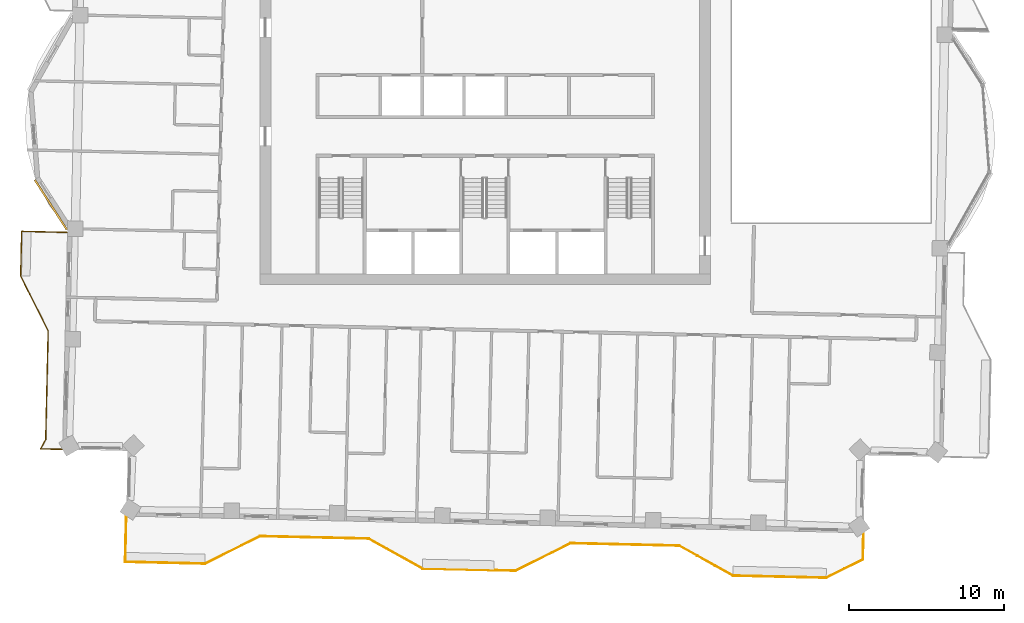
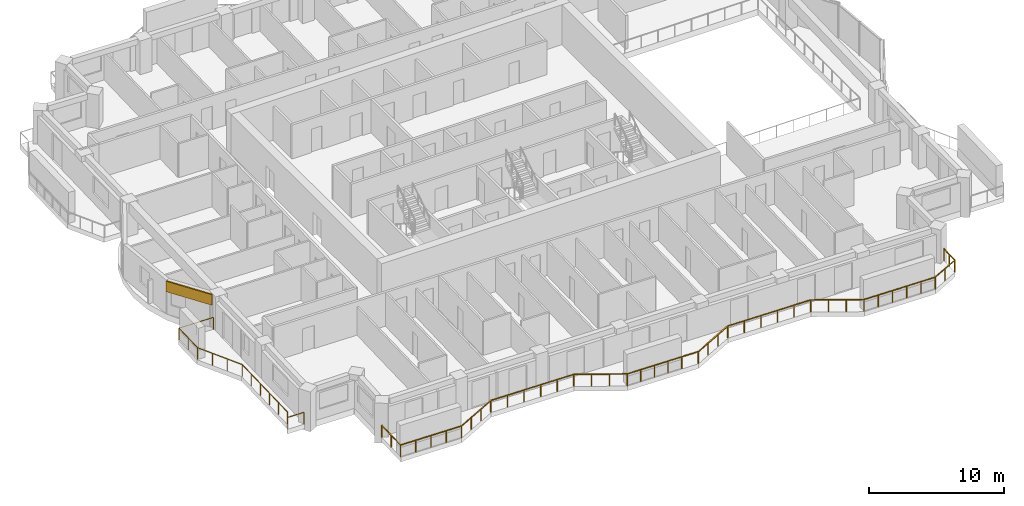
# One storey, part 14 of 17: 2 railings, 1 covering.
"""IFC4 building model written with IfcOpenShell, lengths in metres."""

from ifc_helpers import new_model, si_unit, direction, frame, frame_2d, origin, origin_2d, place, context, subcontext, project, spatial, rectangle, extrude, material, layer, layer_set, type_object, element, save


model = new_model("IFC4")

# Units and contexts
model_context = context("Model", 3, precision=1e-05, world=origin(), true_north=direction((0.0, 1.0)))
body_context = subcontext(model_context, "Body", "Model", "MODEL_VIEW")
ifc_project = project(units=[si_unit("LENGTHUNIT", "METRE"), si_unit("AREAUNIT", "SQUARE_METRE"), si_unit("VOLUMEUNIT", "CUBIC_METRE"), si_unit("PLANEANGLEUNIT", "RADIAN"), si_unit("MASSUNIT", "GRAM", prefix="KILO")], contexts=[model_context])

# Site, building, storey
site_placement = place(None, origin())
site = spatial("IfcSite", under=ifc_project, at=site_placement, CompositionType="ELEMENT")
building_placement = place(site_placement, origin())
building = spatial("IfcBuilding", under=site, at=building_placement, Name="Mangrove Gate Tower", CompositionType="ELEMENT")
storey_placement = place(building_placement, frame((0.0, 0.0, 268.10009765625)))
storey = spatial("IfcBuildingStorey", under=building, at=storey_placement, Name="L68", CompositionType="ELEMENT", Elevation=268.10009765625)

# Railings
ifc_material_1 = material(Name="Stainless steel grade 316 with laminated glass infill", Category="steel")
railing_type = type_object("IfcRailingType", Name="Balcony guard 1100", PredefinedType="GUARDRAIL", material=ifc_material_1)
railing_1_placement = place(storey_placement, frame((-26.929931640625, -8.1298828125, 0.0)))
element("IfcRailing", 1, at=railing_1_placement, inside=storey, type_object=railing_type, Name="GUARD L68 W2", PredefinedType="GUARDRAIL", context=body_context, shape_type="SweptSolid", body=[
    extrude(rectangle(XDim=0.048095703125, YDim=0.048095703125, at=origin_2d()), frame((0.0, 0.0, 1.076171875), z_axis=(-0.99974356462, 0.022645198192, 0.0), x_axis=(-0.022645198192, -0.99974356462, 0.0)), (0.0, 0.0, 1.0), 2.910888671875),
    extrude(rectangle(XDim=0.048095703125, YDim=0.048095703125, at=origin_2d()), frame((-2.91015625, 0.06591796875, 1.076171875), z_axis=(-0.022590224177, -0.999744808324, 0.0), x_axis=(0.999744808324, -0.022590224177, 0.0)), (0.0, 0.0, 1.0), 2.874755859375),
    extrude(rectangle(XDim=0.048095703125, YDim=0.048095703125, at=origin_2d()), frame((-2.97509765625, -2.80810546875, 1.076171875), z_axis=(0.447114919141, -0.894476522376, 0.0), x_axis=(0.894476522376, 0.447114919141, 0.0)), (0.0, 0.0, 1.0), 3.958740234375),
    extrude(rectangle(XDim=0.048095703125, YDim=0.048095703125, at=origin_2d()), frame((-1.205078125, -6.34912109375, 1.076171875), z_axis=(-0.022705559911, -0.999742195543, 0.0), x_axis=(0.999742195543, -0.022705559911, 0.0)), (0.0, 0.0, 1.0), 6.999755859375),
    extrude(rectangle(XDim=0.048095703125, YDim=0.048095703125, at=origin_2d()), frame((-1.364013671875, -13.34716796875, 1.076171875), z_axis=(-0.48634525195, -0.873766728541, 0.0), x_axis=(0.873766728541, -0.48634525195, 0.0)), (0.0, 0.0, 1.0), 0.6787109375),
    extrude(rectangle(XDim=0.048095703125, YDim=0.048095703125, at=origin_2d()), frame((-1.694091796875, -13.940185546875, 1.076171875), z_axis=(0.999746572278, -0.022512023879, 0.0), x_axis=(0.022512023879, 0.999746572278, 0.0)), (0.0, 0.0, 1.0), 1.377197265625),
    extrude(rectangle(XDim=0.0419921875, YDim=0.0419921875, at=origin_2d()), origin(), (0.0, 0.0, 1.0), 1.052001953125),
    extrude(rectangle(XDim=0.0419921875, YDim=0.0419921875, at=origin_2d()), frame((-1.455078125, 0.032958984375, 0.0)), (0.0, 0.0, 1.0), 1.052001953125),
    extrude(rectangle(XDim=0.0419921875, YDim=0.0419921875, at=origin_2d()), frame((-2.91015625, 0.06591796875, 0.0)), (0.0, 0.0, 1.0), 1.052001953125),
    extrude(rectangle(XDim=0.0419921875, YDim=0.0419921875, at=origin_2d()), frame((-2.942626953125, -1.37109375, 0.0)), (0.0, 0.0, 1.0), 1.052001953125),
    extrude(rectangle(XDim=0.0419921875, YDim=0.0419921875, at=origin_2d()), frame((-2.97509765625, -2.80810546875, 0.0)), (0.0, 0.0, 1.0), 1.052001953125),
    extrude(rectangle(XDim=0.0419921875, YDim=0.0419921875, at=origin_2d()), frame((-2.385009765625, -3.988525390625, 0.0)), (0.0, 0.0, 1.0), 1.052001953125),
    extrude(rectangle(XDim=0.0419921875, YDim=0.0419921875, at=origin_2d()), frame((-1.795166015625, -5.168701171875, 0.0)), (0.0, 0.0, 1.0), 1.052001953125),
    extrude(rectangle(XDim=0.0419921875, YDim=0.0419921875, at=origin_2d()), frame((-1.205078125, -6.34912109375, 0.0)), (0.0, 0.0, 1.0), 1.052001953125),
    extrude(rectangle(XDim=0.0419921875, YDim=0.0419921875, at=origin_2d()), frame((-1.23681640625, -7.748779296875, 0.0)), (0.0, 0.0, 1.0), 1.052001953125),
    extrude(rectangle(XDim=0.0419921875, YDim=0.0419921875, at=origin_2d()), frame((-1.2685546875, -9.1484375, 0.0)), (0.0, 0.0, 1.0), 1.052001953125),
    extrude(rectangle(XDim=0.0419921875, YDim=0.0419921875, at=origin_2d()), frame((-1.300537109375, -10.5478515625, 0.0)), (0.0, 0.0, 1.0), 1.052001953125),
    extrude(rectangle(XDim=0.0419921875, YDim=0.0419921875, at=origin_2d()), frame((-1.332275390625, -11.947509765625, 0.0)), (0.0, 0.0, 1.0), 1.052001953125),
    extrude(rectangle(XDim=0.0419921875, YDim=0.0419921875, at=origin_2d()), frame((-1.364013671875, -13.34716796875, 0.0)), (0.0, 0.0, 1.0), 1.052001953125),
    extrude(rectangle(XDim=0.0419921875, YDim=0.0419921875, at=origin_2d()), frame((-1.694091796875, -13.940185546875, 0.0)), (0.0, 0.0, 1.0), 1.052001953125),
    extrude(rectangle(XDim=0.0419921875, YDim=0.0419921875, at=origin_2d()), frame((-0.317138671875, -13.97119140625, 0.0)), (0.0, 0.0, 1.0), 1.052001953125),
])
railing_2_placement = place(storey_placement, frame((-23.10498046875, -26.43603515625, 0.0)))
element("IfcRailing", 2, at=railing_2_placement, inside=storey, type_object=railing_type, Name="GUARD L68 S1", PredefinedType="GUARDRAIL", context=body_context, shape_type="SweptSolid", body=[
    extrude(rectangle(XDim=0.048095703125, YDim=0.048095703125, at=origin_2d()), frame((0.0, 0.0, 1.076171875), z_axis=(-0.022654696127, -0.999743349437, 0.0), x_axis=(0.999743349437, -0.022654696127, 0.0)), (0.0, 0.0, 1.0), 2.90966796875),
    extrude(rectangle(XDim=0.048095703125, YDim=0.048095703125, at=origin_2d()), frame((-0.06591796875, -2.908935546875, 1.076171875), z_axis=(0.999740779291, -0.022767833085, 0.0), x_axis=(0.022767833085, 0.999740779291, 0.0)), (0.0, 0.0, 1.0), 5.13623046875),
    extrude(rectangle(XDim=0.048095703125, YDim=0.048095703125, at=origin_2d()), frame((5.069091796875, -3.02587890625, 1.076171875), z_axis=(0.894464192593, 0.447139584658, 0.0), x_axis=(-0.447139584658, 0.894464192593, 0.0)), (0.0, 0.0, 1.0), 3.95849609375),
    extrude(rectangle(XDim=0.048095703125, YDim=0.048095703125, at=origin_2d()), frame((8.60986328125, -1.255859375, 1.076171875), z_axis=(0.999744565238, -0.022600979566, 0.0), x_axis=(0.022600979566, 0.999744565238, 0.0)), (0.0, 0.0, 1.0), 6.999755859375),
    extrude(rectangle(XDim=0.048095703125, YDim=0.048095703125, at=origin_2d()), frame((15.60791015625, -1.4140625, 1.076171875), z_axis=(0.87325689943, -0.48726008209, 0.0), x_axis=(0.48726008209, 0.87325689943, 0.0)), (0.0, 0.0, 1.0), 3.958740234375),
    extrude(rectangle(XDim=0.048095703125, YDim=0.048095703125, at=origin_2d()), frame((19.06494140625, -3.343017578125, 1.076171875), z_axis=(0.999739584003, -0.022820258049, 0.0), x_axis=(0.022820258049, 0.999739584003, 0.0)), (0.0, 0.0, 1.0), 4.600341796875),
    extrude(rectangle(XDim=0.048095703125, YDim=0.048095703125, at=origin_2d()), frame((23.6640625, -3.447998046875, 1.076171875), z_axis=(0.999754810245, -0.022143156767, 0.0), x_axis=(0.022143156767, 0.999754810245, 0.0)), (0.0, 0.0, 1.0), 1.400146484375),
    extrude(rectangle(XDim=0.048095703125, YDim=0.048095703125, at=origin_2d()), frame((25.06396484375, -3.47900390625, 1.076171875), z_axis=(0.894476522376, 0.447114919141, 0.0), x_axis=(-0.447114919141, 0.894476522376, 0.0)), (0.0, 0.0, 1.0), 3.958740234375),
    extrude(rectangle(XDim=0.048095703125, YDim=0.048095703125, at=origin_2d()), frame((28.60498046875, -1.708984375, 1.076171875), z_axis=(0.999742195543, -0.022705559911, 0.0), x_axis=(0.022705559911, 0.999742195543, 0.0)), (0.0, 0.0, 1.0), 6.999755859375),
    extrude(rectangle(XDim=0.048095703125, YDim=0.048095703125, at=origin_2d()), frame((35.60302734375, -1.867919921875, 1.076171875), z_axis=(0.87325689943, -0.48726008209, 0.0), x_axis=(0.48726008209, 0.87325689943, 0.0)), (0.0, 0.0, 1.0), 3.958740234375),
    extrude(rectangle(XDim=0.048095703125, YDim=0.048095703125, at=origin_2d()), frame((39.06005859375, -3.796875, 1.076171875), z_axis=(0.999743178102, -0.022662255828, 0.0), x_axis=(0.022662255828, 0.999743178102, 0.0)), (0.0, 0.0, 1.0), 6.00048828125),
    extrude(rectangle(XDim=0.048095703125, YDim=0.048095703125, at=origin_2d()), frame((45.05908203125, -3.932861328125, 1.076171875), z_axis=(0.894501119764, 0.447065707408, 0.0), x_axis=(-0.447065707408, 0.894501119764, 0.0)), (0.0, 0.0, 1.0), 2.641357421875),
    extrude(rectangle(XDim=0.048095703125, YDim=0.048095703125, at=origin_2d()), frame((47.421875, -2.751953125, 1.076171875), z_axis=(0.022731335247, 0.999741609816, 0.0), x_axis=(-0.999741609816, 0.022731335247, 0.0)), (0.0, 0.0, 1.0), 1.675537109375),
    extrude(rectangle(XDim=0.0419921875, YDim=0.0419921875, at=origin_2d()), origin(), (0.0, 0.0, 1.0), 1.052001953125),
    extrude(rectangle(XDim=0.0419921875, YDim=0.0419921875, at=origin_2d()), frame((-0.032958984375, -1.45458984375, 0.0)), (0.0, 0.0, 1.0), 1.052001953125),
    extrude(rectangle(XDim=0.0419921875, YDim=0.0419921875, at=origin_2d()), frame((-0.06591796875, -2.908935546875, 0.0)), (0.0, 0.0, 1.0), 1.052001953125),
    extrude(rectangle(XDim=0.0419921875, YDim=0.0419921875, at=origin_2d()), frame((1.2177734375, -2.938232421875, 0.0)), (0.0, 0.0, 1.0), 1.052001953125),
    extrude(rectangle(XDim=0.0419921875, YDim=0.0419921875, at=origin_2d()), frame((2.50146484375, -2.96728515625, 0.0)), (0.0, 0.0, 1.0), 1.052001953125),
    extrude(rectangle(XDim=0.0419921875, YDim=0.0419921875, at=origin_2d()), frame((3.785400390625, -2.99658203125, 0.0)), (0.0, 0.0, 1.0), 1.052001953125),
    extrude(rectangle(XDim=0.0419921875, YDim=0.0419921875, at=origin_2d()), frame((5.069091796875, -3.02587890625, 0.0)), (0.0, 0.0, 1.0), 1.052001953125),
    extrude(rectangle(XDim=0.0419921875, YDim=0.0419921875, at=origin_2d()), frame((6.249267578125, -2.435791015625, 0.0)), (0.0, 0.0, 1.0), 1.052001953125),
    extrude(rectangle(XDim=0.0419921875, YDim=0.0419921875, at=origin_2d()), frame((7.4296875, -1.845947265625, 0.0)), (0.0, 0.0, 1.0), 1.052001953125),
    extrude(rectangle(XDim=0.0419921875, YDim=0.0419921875, at=origin_2d()), frame((8.60986328125, -1.255859375, 0.0)), (0.0, 0.0, 1.0), 1.052001953125),
    extrude(rectangle(XDim=0.0419921875, YDim=0.0419921875, at=origin_2d()), frame((10.009521484375, -1.28759765625, 0.0)), (0.0, 0.0, 1.0), 1.052001953125),
    extrude(rectangle(XDim=0.0419921875, YDim=0.0419921875, at=origin_2d()), frame((11.4091796875, -1.319091796875, 0.0)), (0.0, 0.0, 1.0), 1.052001953125),
    extrude(rectangle(XDim=0.0419921875, YDim=0.0419921875, at=origin_2d()), frame((12.80859375, -1.350830078125, 0.0)), (0.0, 0.0, 1.0), 1.052001953125),
    extrude(rectangle(XDim=0.0419921875, YDim=0.0419921875, at=origin_2d()), frame((14.208251953125, -1.38232421875, 0.0)), (0.0, 0.0, 1.0), 1.052001953125),
    extrude(rectangle(XDim=0.0419921875, YDim=0.0419921875, at=origin_2d()), frame((15.60791015625, -1.4140625, 0.0)), (0.0, 0.0, 1.0), 1.052001953125),
    extrude(rectangle(XDim=0.0419921875, YDim=0.0419921875, at=origin_2d()), frame((16.76025390625, -2.05712890625, 0.0)), (0.0, 0.0, 1.0), 1.052001953125),
    extrude(rectangle(XDim=0.0419921875, YDim=0.0419921875, at=origin_2d()), frame((17.91259765625, -2.699951171875, 0.0)), (0.0, 0.0, 1.0), 1.052001953125),
    extrude(rectangle(XDim=0.0419921875, YDim=0.0419921875, at=origin_2d()), frame((19.06494140625, -3.343017578125, 0.0)), (0.0, 0.0, 1.0), 1.052001953125),
    extrude(rectangle(XDim=0.0419921875, YDim=0.0419921875, at=origin_2d()), frame((20.21484375, -3.369140625, 0.0)), (0.0, 0.0, 1.0), 1.052001953125),
    extrude(rectangle(XDim=0.0419921875, YDim=0.0419921875, at=origin_2d()), frame((21.364501953125, -3.3955078125, 0.0)), (0.0, 0.0, 1.0), 1.052001953125),
    extrude(rectangle(XDim=0.0419921875, YDim=0.0419921875, at=origin_2d()), frame((22.51416015625, -3.421875, 0.0)), (0.0, 0.0, 1.0), 1.052001953125),
    extrude(rectangle(XDim=0.0419921875, YDim=0.0419921875, at=origin_2d()), frame((23.6640625, -3.447998046875, 0.0)), (0.0, 0.0, 1.0), 1.052001953125),
    extrude(rectangle(XDim=0.0419921875, YDim=0.0419921875, at=origin_2d()), frame((25.06396484375, -3.47900390625, 0.0)), (0.0, 0.0, 1.0), 1.052001953125),
    extrude(rectangle(XDim=0.0419921875, YDim=0.0419921875, at=origin_2d()), frame((26.244384765625, -2.888916015625, 0.0)), (0.0, 0.0, 1.0), 1.052001953125),
    extrude(rectangle(XDim=0.0419921875, YDim=0.0419921875, at=origin_2d()), frame((27.424560546875, -2.299072265625, 0.0)), (0.0, 0.0, 1.0), 1.052001953125),
    extrude(rectangle(XDim=0.0419921875, YDim=0.0419921875, at=origin_2d()), frame((28.60498046875, -1.708984375, 0.0)), (0.0, 0.0, 1.0), 1.052001953125),
    extrude(rectangle(XDim=0.0419921875, YDim=0.0419921875, at=origin_2d()), frame((30.004638671875, -1.74072265625, 0.0)), (0.0, 0.0, 1.0), 1.052001953125),
    extrude(rectangle(XDim=0.0419921875, YDim=0.0419921875, at=origin_2d()), frame((31.404296875, -1.7724609375, 0.0)), (0.0, 0.0, 1.0), 1.052001953125),
    extrude(rectangle(XDim=0.0419921875, YDim=0.0419921875, at=origin_2d()), frame((32.8037109375, -1.804443359375, 0.0)), (0.0, 0.0, 1.0), 1.052001953125),
    extrude(rectangle(XDim=0.0419921875, YDim=0.0419921875, at=origin_2d()), frame((34.203369140625, -1.836181640625, 0.0)), (0.0, 0.0, 1.0), 1.052001953125),
    extrude(rectangle(XDim=0.0419921875, YDim=0.0419921875, at=origin_2d()), frame((35.60302734375, -1.867919921875, 0.0)), (0.0, 0.0, 1.0), 1.052001953125),
    extrude(rectangle(XDim=0.0419921875, YDim=0.0419921875, at=origin_2d()), frame((36.75537109375, -2.510986328125, 0.0)), (0.0, 0.0, 1.0), 1.052001953125),
    extrude(rectangle(XDim=0.0419921875, YDim=0.0419921875, at=origin_2d()), frame((37.90771484375, -3.15380859375, 0.0)), (0.0, 0.0, 1.0), 1.052001953125),
    extrude(rectangle(XDim=0.0419921875, YDim=0.0419921875, at=origin_2d()), frame((39.06005859375, -3.796875, 0.0)), (0.0, 0.0, 1.0), 1.052001953125),
    extrude(rectangle(XDim=0.0419921875, YDim=0.0419921875, at=origin_2d()), frame((40.259765625, -3.823974609375, 0.0)), (0.0, 0.0, 1.0), 1.052001953125),
    extrude(rectangle(XDim=0.0419921875, YDim=0.0419921875, at=origin_2d()), frame((41.459716796875, -3.851318359375, 0.0)), (0.0, 0.0, 1.0), 1.052001953125),
    extrude(rectangle(XDim=0.0419921875, YDim=0.0419921875, at=origin_2d()), frame((42.659423828125, -3.87841796875, 0.0)), (0.0, 0.0, 1.0), 1.052001953125),
    extrude(rectangle(XDim=0.0419921875, YDim=0.0419921875, at=origin_2d()), frame((43.859375, -3.90576171875, 0.0)), (0.0, 0.0, 1.0), 1.052001953125),
    extrude(rectangle(XDim=0.0419921875, YDim=0.0419921875, at=origin_2d()), frame((45.05908203125, -3.932861328125, 0.0)), (0.0, 0.0, 1.0), 1.052001953125),
    extrude(rectangle(XDim=0.0419921875, YDim=0.0419921875, at=origin_2d()), frame((46.240478515625, -3.34228515625, 0.0)), (0.0, 0.0, 1.0), 1.052001953125),
    extrude(rectangle(XDim=0.0419921875, YDim=0.0419921875, at=origin_2d()), frame((47.421875, -2.751953125, 0.0)), (0.0, 0.0, 1.0), 1.052001953125),
    extrude(rectangle(XDim=0.0419921875, YDim=0.0419921875, at=origin_2d()), frame((47.44091796875, -1.91455078125, 0.0)), (0.0, 0.0, 1.0), 1.052001953125),
    extrude(rectangle(XDim=0.0419921875, YDim=0.0419921875, at=origin_2d()), frame((47.4599609375, -1.076904296875, 0.0)), (0.0, 0.0, 1.0), 1.052001953125),
])

# Covering
ifc_material_2 = material(Name="Limestone", Category="masonry")
ifc_layer_1 = layer(ifc_material_2, 0.0400390625, Name="Limestone cladding")
ifc_material_3 = material(Name="Stainless steel anchors and cavity", Category="steel")
ifc_layer_2 = layer(ifc_material_3, 0.080078125, Name="Fixing cavity")
ifc_layer_set = layer_set([ifc_layer_1, ifc_layer_2], Name="Joint fascia cladding 120")
covering_type = type_object("IfcCoveringType", Name="Joint fascia cladding 120", PredefinedType="CLADDING", material=ifc_layer_set)
covering_placement = place(storey_placement, frame((-28.9951171875, -4.7470703125, 2.099853515625), z_axis=(0.0, 0.0, 1.0), x_axis=(0.540647704351, -0.841249106853, 0.0)))
element("IfcCovering", 3, at=covering_placement, inside=storey, type_object=covering_type, Name="STONE FASCIA L68 W9.L2", PredefinedType="CLADDING", context=body_context, shape_type="SweptSolid", body=[
    extrude(rectangle(XDim=3.818115234375, YDim=0.1201171875, at=frame_2d((1.9091796875, 0.0))), origin(), (0.0, 0.0, 1.0), 0.949951171875),
])

save(model, "model.ifc")
